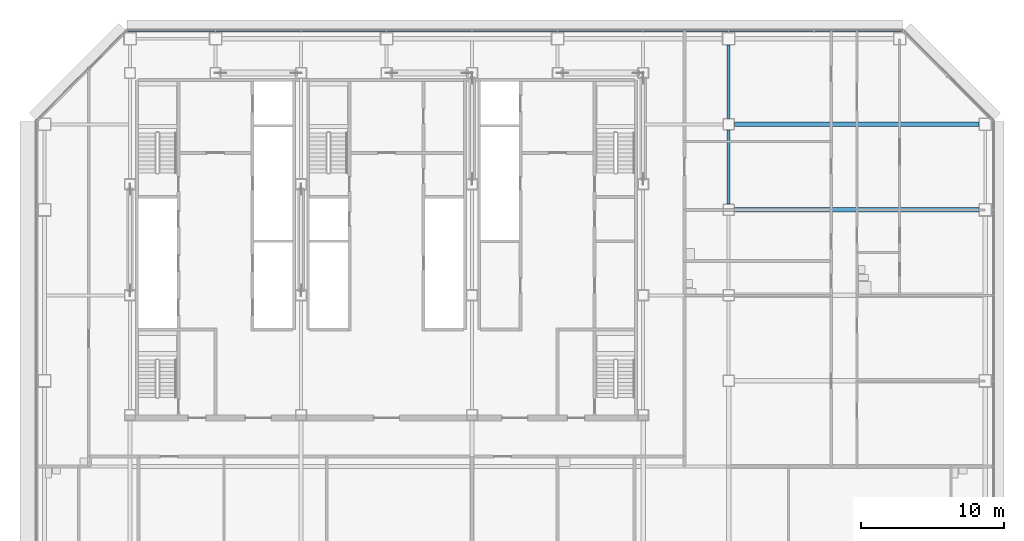
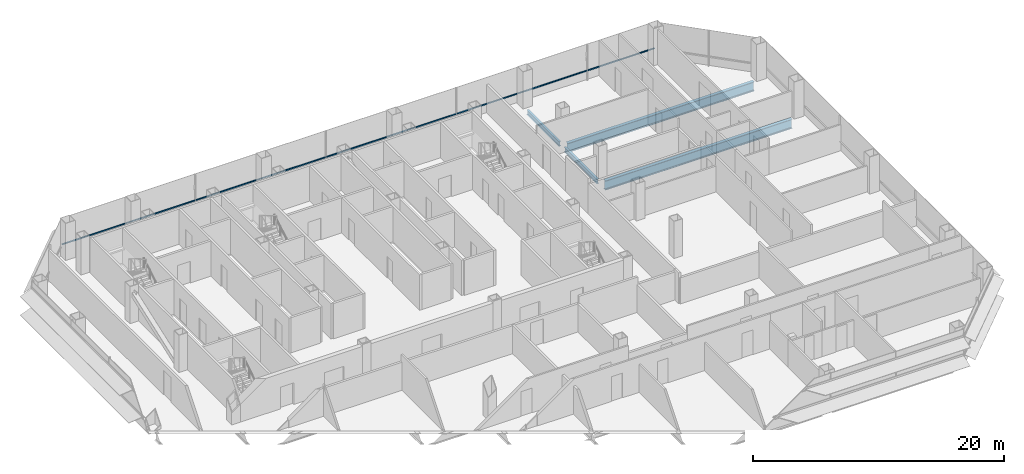
# One storey, part 14 of 27: 4 beams, 1 member, 1 element without a shape of its own.
"""IFC4 building model written with IfcOpenShell, lengths in metres."""

from ifc_helpers import new_model, si_unit, direction, frame, origin, origin_2d, place, context, subcontext, project, spatial, rectangle, i_section, extrude, material, material_profile, profile_set, type_object, element, aggregate, save


model = new_model("IFC4")

# Units and contexts
model_context = context("Model", 3, precision=1e-05, world=origin(), true_north=direction((0.0, 1.0)))
body_context = subcontext(model_context, "Body", "Model", "MODEL_VIEW")
ifc_project = project(units=[si_unit("LENGTHUNIT", "METRE"), si_unit("AREAUNIT", "SQUARE_METRE"), si_unit("VOLUMEUNIT", "CUBIC_METRE"), si_unit("PLANEANGLEUNIT", "RADIAN"), si_unit("MASSUNIT", "GRAM", prefix="KILO")], contexts=[model_context])

# Site, building, storey
site_placement = place(None, origin())
site = spatial("IfcSite", under=ifc_project, at=site_placement, CompositionType="ELEMENT")
building_placement = place(site_placement, origin())
building = spatial("IfcBuilding", under=site, at=building_placement, Name="Sorahane Residences", CompositionType="ELEMENT")
storey_placement = place(building_placement, frame((0.0, 0.0, 78.60009765625)))
storey = spatial("IfcBuildingStorey", under=building, at=storey_placement, Name="L16", CompositionType="ELEMENT", Elevation=78.60009765625)

# Curtain wall, member
ifc_material_1 = material(Name="Dark low-e glass and black anodised aluminium", Category="aluminium")
curtain_wall_type = type_object("IfcCurtainWallType", Name="Curtain wall CW-1 Typical unitised wall", PredefinedType="NOTDEFINED", material=ifc_material_1)
curtain_wall_placement = place(storey_placement, origin())
curtain_wall = element("IfcCurtainWall", 1, at=curtain_wall_placement, inside=storey, type_object=curtain_wall_type, Name="CW-1 curtain wall L16 N1", PredefinedType="NOTDEFINED")
ifc_material_2 = material(Name="Black anodised aluminium", Category="aluminium")
ifc_material_profile_1 = material_profile(ifc_material_2, rectangle(XDim=0.10009765625, YDim=0.06005859375, at=origin_2d()), Name="Curtain wall transom CW-1 black anodised aluminium 60x100")
ifc_profile_set_1 = profile_set([ifc_material_profile_1], Name="Black anodised aluminium")
member_type = type_object("IfcMemberType", Name="Curtain wall transom CW-1 black anodised aluminium 60x100", PredefinedType="USERDEFINED", material=ifc_profile_set_1)
member_placement = place(storey_placement, frame((60.198486328125, 48.530029296875, 0.89990234375), z_axis=(-1.0, 0.0, 0.0), x_axis=(0.0, -1.0, 0.0)))
member = element("IfcMember", 2, at=member_placement, type_object=member_type, Name="CW-1 transom L16 N1", ObjectType="TRANSOM", PredefinedType="USERDEFINED", context=body_context, shape_type="SweptSolid", body=[
    extrude(rectangle(XDim=0.10009765625, YDim=0.06005859375, at=origin_2d()), origin(), (0.0, 0.0, 1.0), 54.39697265625),
])
aggregate(curtain_wall, [member])

# Beams
ifc_material_3 = material(Name="Steel Q355B", Category="steel")
ifc_material_profile_2 = material_profile(ifc_material_3, i_section(OverallWidth=0.199951171875, OverallDepth=0.449951171875, WebThickness=0.009033203125, FlangeThickness=0.013916015625, FilletRadius=0.02001953125, at=origin_2d()), Name="HN 450x200x9x14")
ifc_profile_set_2 = profile_set([ifc_material_profile_2], Name="Steel Q355B")
beam_type_1 = type_object("IfcBeamType", Name="Steel floor beam HN 450x200x9x14 Q355B", PredefinedType="BEAM", material=ifc_profile_set_2)
beam_1_placement = place(storey_placement, frame((48.0, 36.39990234375, -0.405029296875), z_axis=(0.0, 1.0, 0.0), x_axis=(-1.0, 0.0, 0.0)))
element("IfcBeam", 3, at=beam_1_placement, inside=storey, type_object=beam_type_1, Name="Beam L16 055", PredefinedType="BEAM", context=body_context, shape_type="SweptSolid", body=[
    extrude(i_section(OverallWidth=0.199951171875, OverallDepth=0.449951171875, WebThickness=0.009033203125, FlangeThickness=0.013916015625, FilletRadius=0.02001953125, at=origin_2d()), origin(), (0.0, 0.0, 1.0), 5.2001953125),
])
beam_2_placement = place(storey_placement, frame((48.0, 42.39990234375, -0.405029296875), z_axis=(0.0, 1.0, 0.0), x_axis=(-1.0, 0.0, 0.0)))
element("IfcBeam", 4, at=beam_2_placement, inside=storey, type_object=beam_type_1, Name="Beam L16 056", PredefinedType="BEAM", context=body_context, shape_type="SweptSolid", body=[
    extrude(i_section(OverallWidth=0.199951171875, OverallDepth=0.449951171875, WebThickness=0.009033203125, FlangeThickness=0.013916015625, FilletRadius=0.02001953125, at=origin_2d()), origin(), (0.0, 0.0, 1.0), 5.150146484375),
])
ifc_material_4 = material(Name="Steel Q355B", Category="steel")
ifc_material_profile_3 = material_profile(ifc_material_4, i_section(OverallWidth=0.300048828125, OverallDepth=0.89990234375, WebThickness=0.01611328125, FlangeThickness=0.028076171875, FilletRadius=0.028076171875, at=origin_2d()), Name="HN 900x300x16x28")
ifc_profile_set_3 = profile_set([ifc_material_profile_3], Name="Steel Q355B")
beam_type_2 = type_object("IfcBeamType", Name="Steel floor beam HN 900x300x16x28 Q355B", PredefinedType="BEAM", material=ifc_profile_set_3)
for number, where, z_axis, x_axis, name in (
    (5, (48.39990234375, 36.0, -0.630126953125), (1.0, 0.0, 0.0), (0.0, 1.0, 0.0), "Beam L16 011"),
    (6, (48.39990234375, 42.0, -0.630126953125), (1.0, 0.0, 0.0), (0.0, 1.0, 0.0), "Beam L16 081"),
):
    element("IfcBeam", number, at=place(storey_placement, frame(where, z_axis=z_axis, x_axis=x_axis)), inside=storey, type_object=beam_type_2, Name=name, PredefinedType="BEAM", context=body_context, shape_type="SweptSolid", body=[
        extrude(i_section(OverallWidth=0.300048828125, OverallDepth=0.89990234375, WebThickness=0.01611328125, FlangeThickness=0.028076171875, FilletRadius=0.028076171875, at=origin_2d()), origin(), (0.0, 0.0, 1.0), 17.150146484375),
    ])

save(model, "model.ifc")
